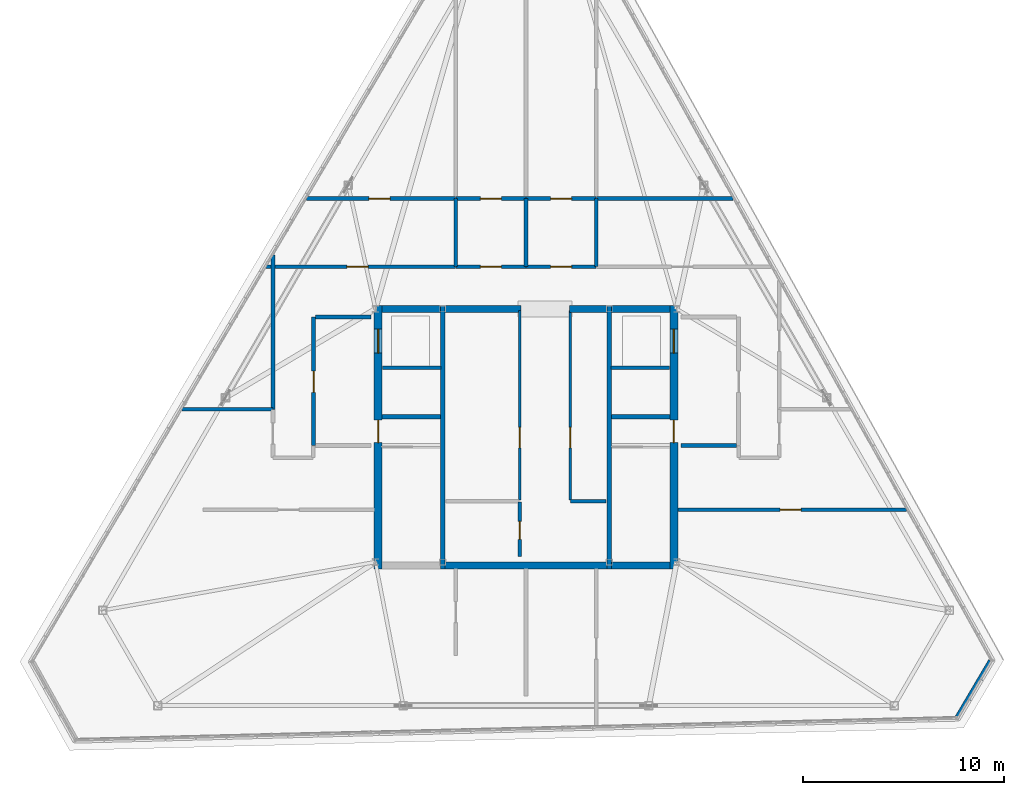
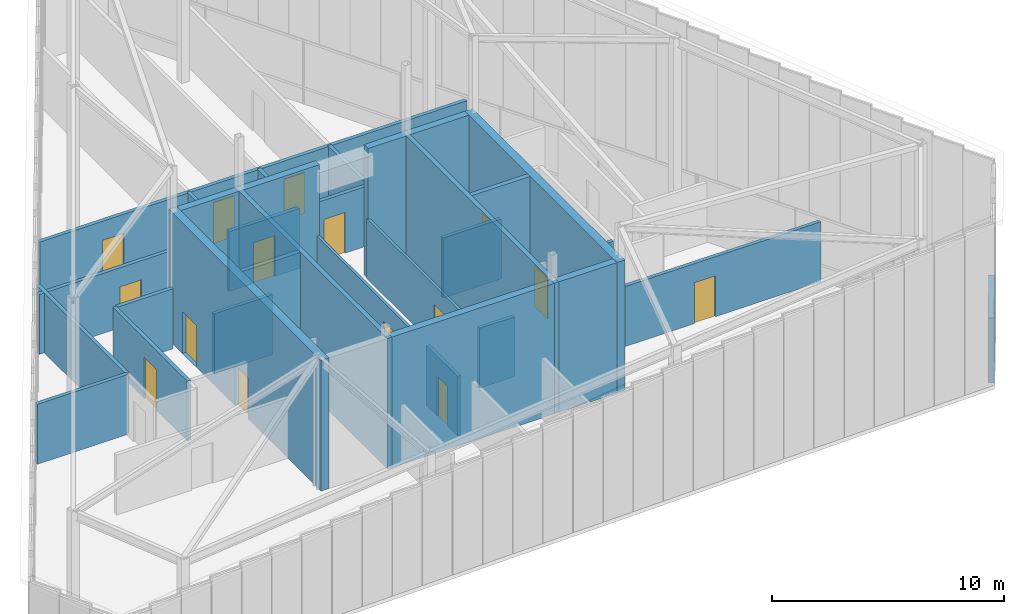
# One storey, part 44 of 50: 35 walls, 15 doors, 15 openings.
"""IFC4 building model written with IfcOpenShell, lengths in metres."""

from ifc_helpers import new_model, si_unit, direction, frame, frame_2d, origin, place, context, subcontext, project, spatial, rectangle, extrude, material, layer, layer_set, type_object, element, fill, save


model = new_model("IFC4")

# Units and contexts
model_context = context("Model", 3, precision=1e-05, world=origin(), true_north=direction((0.0, 1.0)))
body_context = subcontext(model_context, "Body", "Model", "MODEL_VIEW")
ifc_project = project(units=[si_unit("LENGTHUNIT", "METRE"), si_unit("AREAUNIT", "SQUARE_METRE"), si_unit("VOLUMEUNIT", "CUBIC_METRE"), si_unit("PLANEANGLEUNIT", "RADIAN"), si_unit("MASSUNIT", "GRAM", prefix="KILO")], contexts=[model_context])

# Site, building, storey
site_placement = place(None, origin())
site = spatial("IfcSite", under=ifc_project, at=site_placement, CompositionType="ELEMENT")
building_placement = place(site_placement, origin())
building = spatial("IfcBuilding", under=site, at=building_placement, Name="Caelisora Broadcast Tower", CompositionType="ELEMENT")
storey_placement = place(building_placement, frame((0.0, 0.0, 303.39990234375)))
storey = spatial("IfcBuildingStorey", under=building, at=storey_placement, Name="L80", CompositionType="ELEMENT", Elevation=303.39990234375)

# Wall, openings, doors
ifc_material_1 = material(Name="Concrete 40 MPa (AS 3600 N40)", Category="concrete")
ifc_layer_1 = layer(ifc_material_1, 0.39990234375, Name="Concrete 40 MPa (AS 3600 N40)")
ifc_layer_set_1 = layer_set([ifc_layer_1], Name="Concrete 40 MPa (AS 3600 N40)")
wall_type_1 = type_object("IfcWallType", Name="CW3", PredefinedType="SHEAR", material=ifc_layer_set_1)
wall_1_placement = place(storey_placement, frame((30.639892578125, 17.050048828125, 0.0), z_axis=(0.0, 0.0, 1.0), x_axis=(0.0, 1.0, 0.0)))
wall_1 = element("IfcWall", 1, at=wall_1_placement, inside=storey, type_object=wall_type_1, Name="L80 core shear wall CW3", PredefinedType="SHEAR", context=body_context, shape_type="SweptSolid", body=[
    extrude(rectangle(XDim=13.125, YDim=0.39990234375, at=frame_2d((6.5625, 0.0))), origin(), (0.0, 0.0, 1.0), 6.8701171875),
])
opening_1_placement = place(wall_1_placement, frame((6.300048828125, 0.0, 0.0)))
opening_1 = element("IfcOpeningElement", 2, at=opening_1_placement, cuts=wall_1, Name="Opening FD04", PredefinedType="OPENING", context=body_context, shape_type="SweptSolid", body=[
    extrude(rectangle(XDim=1.1201171875, YDim=2.14990234375, at=frame_2d((0.56005859375, 1.074951171875))), frame((0.0, 0.2119140625, 0.0), z_axis=(0.0, -1.0, 0.0), x_axis=(1.0, 0.0, 0.0)), (0.0, 0.0, 1.0), 0.423828125),
])
opening_2_placement = place(wall_1_placement, frame((10.75, 0.0, 0.0)))
opening_2 = element("IfcOpeningElement", 3, at=opening_2_placement, cuts=wall_1, Name="Opening LD04", PredefinedType="OPENING", context=body_context, shape_type="SweptSolid", body=[
    extrude(rectangle(XDim=1.199951171875, YDim=2.199951171875, at=frame_2d((0.60009765625, 1.10009765625))), frame((0.0, 0.2119140625, 0.0), z_axis=(0.0, -1.0, 0.0), x_axis=(1.0, 0.0, 0.0)), (0.0, 0.0, 1.0), 0.423828125),
])
ifc_material_2 = material(Name="Pressurised Fire-Isolated Stair Door", Category="steel")
door_type_1 = type_object("IfcDoorType", Name="FD04", OperationType="NOTDEFINED", PredefinedType="DOOR", material=ifc_material_2)
door_1_placement = place(opening_1_placement, origin())
door_1 = element("IfcDoor", 4, at=door_1_placement, inside=storey, type_object=door_type_1, Name="L80 door FD04 (L80-DR-ST1)", OperationType="SINGLE_SWING_LEFT", OverallHeight=2.14990234375, OverallWidth=1.1201171875, PredefinedType="DOOR", context=body_context, shape_type="SweptSolid", body=[
    extrude(rectangle(XDim=1.1201171875, YDim=2.14990234375, at=frame_2d((0.56005859375, 1.074951171875))), frame((0.0, 0.02490234375, 0.0), z_axis=(0.0, -1.0, 0.0), x_axis=(1.0, 0.0, 0.0)), (0.0, 0.0, 1.0), 0.050048828125),
])
fill(opening_1, door_1)
ifc_material_3 = material(Name="Emergency Firefighting Lift Sliding Landing Door", Category="steel")
door_type_2 = type_object("IfcDoorType", Name="LD04", OperationType="NOTDEFINED", PredefinedType="DOOR", material=ifc_material_3)
door_2_placement = place(opening_2_placement, origin())
door_2 = element("IfcDoor", 5, at=door_2_placement, inside=storey, type_object=door_type_2, Name="L80 door LD04 (L80-LD-FFL1)", OperationType="SLIDING_TO_LEFT", OverallHeight=2.199951171875, OverallWidth=1.199951171875, PredefinedType="DOOR", context=body_context, shape_type="SweptSolid", body=[
    extrude(rectangle(XDim=1.199951171875, YDim=2.199951171875, at=frame_2d((0.60009765625, 1.10009765625))), frame((0.0, 0.02490234375, 0.0), z_axis=(0.0, -1.0, 0.0), x_axis=(1.0, 0.0, 0.0)), (0.0, 0.0, 1.0), 0.050048828125),
])
fill(opening_2, door_2)

wall_2_placement = place(storey_placement, frame((45.360107421875, 17.050048828125, 0.0), z_axis=(0.0, 0.0, 1.0), x_axis=(0.0, 1.0, 0.0)))
wall_2 = element("IfcWall", 6, at=wall_2_placement, inside=storey, type_object=wall_type_1, Name="L80 core shear wall CW3", PredefinedType="SHEAR", context=body_context, shape_type="SweptSolid", body=[
    extrude(rectangle(XDim=13.125, YDim=0.39990234375, at=frame_2d((6.5625, 0.0))), origin(), (0.0, 0.0, 1.0), 6.8701171875),
])
opening_3_placement = place(wall_2_placement, frame((6.300048828125, 0.0, 0.0)))
opening_3 = element("IfcOpeningElement", 7, at=opening_3_placement, cuts=wall_2, Name="Opening FD04", PredefinedType="OPENING", context=body_context, shape_type="SweptSolid", body=[
    extrude(rectangle(XDim=1.1201171875, YDim=2.14990234375, at=frame_2d((0.56005859375, 1.074951171875))), frame((0.0, 0.2119140625, 0.0), z_axis=(0.0, -1.0, 0.0), x_axis=(1.0, 0.0, 0.0)), (0.0, 0.0, 1.0), 0.423828125),
])
opening_4_placement = place(wall_2_placement, frame((10.75, 0.0, 0.0)))
opening_4 = element("IfcOpeningElement", 8, at=opening_4_placement, cuts=wall_2, Name="Opening LD04", PredefinedType="OPENING", context=body_context, shape_type="SweptSolid", body=[
    extrude(rectangle(XDim=1.199951171875, YDim=2.199951171875, at=frame_2d((0.60009765625, 1.10009765625))), frame((0.0, 0.2119140625, 0.0), z_axis=(0.0, -1.0, 0.0), x_axis=(1.0, 0.0, 0.0)), (0.0, 0.0, 1.0), 0.423828125),
])
door_3_placement = place(opening_3_placement, origin())
door_3 = element("IfcDoor", 9, at=door_3_placement, inside=storey, type_object=door_type_1, Name="L80 door FD04 (L80-DR-ST2)", OperationType="SINGLE_SWING_RIGHT", OverallHeight=2.14990234375, OverallWidth=1.1201171875, PredefinedType="DOOR", context=body_context, shape_type="SweptSolid", body=[
    extrude(rectangle(XDim=1.1201171875, YDim=2.14990234375, at=frame_2d((0.56005859375, 1.074951171875))), frame((0.0, 0.02490234375, 0.0), z_axis=(0.0, -1.0, 0.0), x_axis=(1.0, 0.0, 0.0)), (0.0, 0.0, 1.0), 0.050048828125),
])
fill(opening_3, door_3)
door_4_placement = place(opening_4_placement, origin())
door_4 = element("IfcDoor", 10, at=door_4_placement, inside=storey, type_object=door_type_2, Name="L80 door LD04 (L80-LD-FFL2)", OperationType="SLIDING_TO_RIGHT", OverallHeight=2.199951171875, OverallWidth=1.199951171875, PredefinedType="DOOR", context=body_context, shape_type="SweptSolid", body=[
    extrude(rectangle(XDim=1.199951171875, YDim=2.199951171875, at=frame_2d((0.60009765625, 1.10009765625))), frame((0.0, 0.02490234375, 0.0), z_axis=(0.0, -1.0, 0.0), x_axis=(1.0, 0.0, 0.0)), (0.0, 0.0, 1.0), 0.050048828125),
])
fill(opening_4, door_4)

# Walls
ifc_layer_2 = layer(ifc_material_1, 0.35009765625, Name="Concrete 40 MPa (AS 3600 N40)")
ifc_layer_set_2 = layer_set([ifc_layer_2], Name="Concrete 40 MPa (AS 3600 N40)")
wall_type_2 = type_object("IfcWallType", Name="CW6", PredefinedType="SHEAR", material=ifc_layer_set_2)
wall_3_placement = place(storey_placement, frame((33.9599609375, 17.22509765625, 0.0), z_axis=(0.0, 0.0, 1.0), x_axis=(1.0, 0.0, 0.0)))
element("IfcWall", 11, at=wall_3_placement, inside=storey, type_object=wall_type_2, Name="L80 core shear wall CW6", PredefinedType="SHEAR", context=body_context, shape_type="SweptSolid", body=[
    extrude(rectangle(XDim=8.080078125, YDim=0.35009765625, at=frame_2d((4.0400390625, 0.0))), origin(), (0.0, 0.0, 1.0), 6.8701171875),
])
for number, where, z_axis, x_axis, name in (
    (12, (42.260009765625, 17.22509765625, 0.0), (0.0, 0.0, 1.0), (1.0, 0.0, 0.0), "L80 core shear wall CW6"),
    (13, (30.840087890625, 30.0, 0.0), (0.0, 0.0, 1.0), (1.0, 0.0, 0.0), "L80 core shear wall CW6"),
):
    element("IfcWall", number, at=place(storey_placement, frame(where, z_axis=z_axis, x_axis=x_axis)), inside=storey, type_object=wall_type_2, Name=name, PredefinedType="SHEAR", context=body_context, shape_type="SweptSolid", body=[
        extrude(rectangle(XDim=2.89990234375, YDim=0.35009765625, at=frame_2d((1.449951171875, 0.0))), origin(), (0.0, 0.0, 1.0), 6.8701171875),
    ])
wall_4_placement = place(storey_placement, frame((33.9599609375, 30.0, 0.0), z_axis=(0.0, 0.0, 1.0), x_axis=(1.0, 0.0, 0.0)))
element("IfcWall", 14, at=wall_4_placement, inside=storey, type_object=wall_type_2, Name="L80 core shear wall CW6", PredefinedType="SHEAR", context=body_context, shape_type="SweptSolid", body=[
    extrude(rectangle(XDim=3.780029296875, YDim=0.35009765625, at=frame_2d((1.89013671875, 0.0))), origin(), (0.0, 0.0, 1.0), 6.8701171875),
])
wall_5_placement = place(storey_placement, frame((40.159912109375, 30.0, 0.0), z_axis=(0.0, 0.0, 1.0), x_axis=(1.0, 0.0, 0.0)))
element("IfcWall", 15, at=wall_5_placement, inside=storey, type_object=wall_type_2, Name="L80 core shear wall CW6", PredefinedType="SHEAR", context=body_context, shape_type="SweptSolid", body=[
    extrude(rectangle(XDim=1.880126953125, YDim=0.35009765625, at=frame_2d((0.93994140625, 0.0))), origin(), (0.0, 0.0, 1.0), 6.8701171875),
])
wall_6_placement = place(storey_placement, frame((42.260009765625, 30.0, 0.0), z_axis=(0.0, 0.0, 1.0), x_axis=(1.0, 0.0, 0.0)))
element("IfcWall", 16, at=wall_6_placement, inside=storey, type_object=wall_type_2, Name="L80 core shear wall CW6", PredefinedType="SHEAR", context=body_context, shape_type="SweptSolid", body=[
    extrude(rectangle(XDim=2.89990234375, YDim=0.35009765625, at=frame_2d((1.449951171875, 0.0))), origin(), (0.0, 0.0, 1.0), 6.8701171875),
])
ifc_material_4 = material(Name="Concrete 50 MPa (AS 3600 S50)", Category="concrete")
ifc_layer_3 = layer(ifc_material_4, 0.219970703125, Name="Concrete 50 MPa (AS 3600 S50)")
ifc_layer_set_3 = layer_set([ifc_layer_3], Name="Concrete 50 MPa (AS 3600 S50)")
wall_type_3 = type_object("IfcWallType", Name="CW7", PredefinedType="SHEAR", material=ifc_layer_set_3)
for number, where, z_axis, x_axis, name in (
    (17, (33.85009765625, 17.050048828125, 0.0), (0.0, 0.0, 1.0), (0.0, 1.0, 0.0), "L80 core shear wall CW7"),
    (18, (42.14990234375, 17.050048828125, 0.0), (0.0, 0.0, 1.0), (0.0, 1.0, 0.0), "L80 core shear wall CW7"),
):
    element("IfcWall", number, at=place(storey_placement, frame(where, z_axis=z_axis, x_axis=x_axis)), inside=storey, type_object=wall_type_3, Name=name, PredefinedType="SHEAR", context=body_context, shape_type="SweptSolid", body=[
        extrude(rectangle(XDim=13.125, YDim=0.219970703125, at=frame_2d((6.5625, 0.0))), origin(), (0.0, 0.0, 1.0), 6.8701171875),
    ])
for number, where, z_axis, x_axis, name in (
    (19, (30.840087890625, 24.639892578125, 0.0), (0.0, 0.0, 1.0), (1.0, 0.0, 0.0), "L80 core shear wall CW7"),
    (20, (42.260009765625, 24.639892578125, 0.0), (0.0, 0.0, 1.0), (1.0, 0.0, 0.0), "L80 core shear wall CW7"),
):
    element("IfcWall", number, at=place(storey_placement, frame(where, z_axis=z_axis, x_axis=x_axis)), inside=storey, type_object=wall_type_3, Name=name, PredefinedType="SHEAR", context=body_context, shape_type="SweptSolid", body=[
        extrude(rectangle(XDim=2.89990234375, YDim=0.219970703125, at=frame_2d((1.449951171875, 0.0))), origin(), (0.0, 0.0, 1.0), 6.8701171875),
    ])
ifc_material_5 = material(Name="Fire-Rated Acoustic Plant Enclosure Wall", Category="masonry")
ifc_layer_4 = layer(ifc_material_5, 0.260009765625, Name="Fire-Rated Acoustic Plant Enclosure Wall")
ifc_layer_set_4 = layer_set([ifc_layer_4], Name="Fire-Rated Acoustic Plant Enclosure Wall")
wall_type_4 = type_object("IfcWallType", Name="EW2", PredefinedType="STANDARD", material=ifc_layer_set_4)
wall_7_placement = place(storey_placement, frame((61.144775390625, 12.47509765625, 0.0), z_axis=(0.0, 0.0, 1.0), x_axis=(-0.508787597766, -0.860892084038, 0.0)))
element("IfcWall", 21, at=wall_7_placement, inside=storey, type_object=wall_type_4, Name="L80 exterior envelope wall EW2", PredefinedType="STANDARD", context=body_context, shape_type="SweptSolid", body=[
    extrude(rectangle(XDim=3.24560546875, YDim=0.260009765625, at=frame_2d((1.622802734375, 0.0))), origin(), (0.0, 0.0, 1.0), 3.400146484375),
])

# Wall, opening, door
ifc_material_6 = material(Name="Fire-Rated Gypsum Shaft and Compartment Wall", Category="gypsum")
ifc_layer_5 = layer(ifc_material_6, 0.179931640625, Name="Fire-Rated Gypsum Shaft and Compartment Wall")
ifc_layer_set_5 = layer_set([ifc_layer_5], Name="Fire-Rated Gypsum Shaft and Compartment Wall")
wall_type_5 = type_object("IfcWallType", Name="PW2", PredefinedType="PARTITIONING", material=ifc_layer_set_5)
wall_8_placement = place(storey_placement, frame((27.419921875, 23.199951171875, 0.0), z_axis=(0.0, 0.0, 1.0), x_axis=(0.0, 1.0, 0.0)))
wall_8 = element("IfcWall", 22, at=wall_8_placement, inside=storey, type_object=wall_type_5, Name="L80 fire compartment wall PW2", PredefinedType="PARTITIONING", context=body_context, shape_type="SweptSolid", body=[
    extrude(rectangle(XDim=6.400146484375, YDim=0.179931640625, at=frame_2d((3.2001953125, 0.0))), origin(), (0.0, 0.0, 1.0), 3.150146484375),
])
opening_5_placement = place(wall_8_placement, frame((2.64990234375, 0.0, 0.0)))
opening_5 = element("IfcOpeningElement", 23, at=opening_5_placement, cuts=wall_8, Name="Opening FD02", PredefinedType="OPENING", context=body_context, shape_type="SweptSolid", body=[
    extrude(rectangle(XDim=1.050048828125, YDim=2.14990234375, at=frame_2d((0.52490234375, 1.074951171875))), frame((0.0, 0.10205078125, 0.0), z_axis=(0.0, -1.0, 0.0), x_axis=(1.0, 0.0, 0.0)), (0.0, 0.0, 1.0), 0.203857421875),
])
ifc_material_7 = material(Name="Single-Leaf Steel Fire Lobby Door", Category="steel")
door_type_3 = type_object("IfcDoorType", Name="FD02", OperationType="NOTDEFINED", PredefinedType="DOOR", material=ifc_material_7)
door_5_placement = place(opening_5_placement, origin())
door_5 = element("IfcDoor", 24, at=door_5_placement, inside=storey, type_object=door_type_3, Name="L80 door FD02 (L80-DR-P01D1)", OperationType="SINGLE_SWING_LEFT", OverallHeight=2.14990234375, OverallWidth=1.050048828125, PredefinedType="DOOR", context=body_context, shape_type="SweptSolid", body=[
    extrude(rectangle(XDim=1.050048828125, YDim=2.14990234375, at=frame_2d((0.52490234375, 1.074951171875))), frame((0.0, 0.02490234375, 0.0), z_axis=(0.0, -1.0, 0.0), x_axis=(1.0, 0.0, 0.0)), (0.0, 0.0, 1.0), 0.050048828125),
])
fill(opening_5, door_5)

# Walls
for number, where, z_axis, x_axis, name in (
    (25, (27.52001953125, 29.60009765625, 0.0), (0.0, 0.0, 1.0), (1.0, 0.0, 0.0), "L80 fire compartment wall PW2"),
    (26, (45.719970703125, 23.199951171875, 0.0), (0.0, 0.0, 1.0), (1.0, 0.0, 0.0), "L80 fire compartment wall PW2"),
):
    element("IfcWall", number, at=place(storey_placement, frame(where, z_axis=z_axis, x_axis=x_axis)), inside=storey, type_object=wall_type_5, Name=name, PredefinedType="PARTITIONING", context=body_context, shape_type="SweptSolid", body=[
        extrude(rectangle(XDim=2.760009765625, YDim=0.179931640625, at=frame_2d((1.3798828125, 0.0))), origin(), (0.0, 0.0, 1.0), 3.150146484375),
    ])
for number, where, z_axis, x_axis, name in (
    (27, (30.860107421875, 27.070068359375, 0.0), (0.0, 0.0, 1.0), (1.0, 0.0, 0.0), "L80 fire compartment wall PW2"),
    (28, (42.239990234375, 27.070068359375, 0.0), (0.0, 0.0, 1.0), (1.0, 0.0, 0.0), "L80 fire compartment wall PW2"),
):
    element("IfcWall", number, at=place(storey_placement, frame(where, z_axis=z_axis, x_axis=x_axis)), inside=storey, type_object=wall_type_5, Name=name, PredefinedType="PARTITIONING", context=body_context, shape_type="SweptSolid", body=[
        extrude(rectangle(XDim=2.89990234375, YDim=0.179931640625, at=frame_2d((1.449951171875, 0.0))), origin(), (0.0, 0.0, 1.0), 3.150146484375),
    ])
wall_9_placement = place(storey_placement, frame((40.219970703125, 20.419921875, 0.0), z_axis=(0.0, 0.0, 1.0), x_axis=(1.0, 0.0, 0.0)))
element("IfcWall", 29, at=wall_9_placement, inside=storey, type_object=wall_type_5, Name="L80 fire compartment wall PW2", PredefinedType="PARTITIONING", context=body_context, shape_type="SweptSolid", body=[
    extrude(rectangle(XDim=1.760009765625, YDim=0.179931640625, at=frame_2d((0.8798828125, 0.0))), origin(), (0.0, 0.0, 1.0), 3.150146484375),
])

# Wall, opening, door
wall_10_placement = place(storey_placement, frame((37.679931640625, 17.679931640625, 0.0), z_axis=(0.0, 0.0, 1.0), x_axis=(0.0, 1.0, 0.0)))
wall_10 = element("IfcWall", 30, at=wall_10_placement, inside=storey, type_object=wall_type_5, Name="L80 fire compartment wall PW2", PredefinedType="PARTITIONING", context=body_context, shape_type="SweptSolid", body=[
    extrude(rectangle(XDim=2.699951171875, YDim=0.179931640625, at=frame_2d((1.35009765625, 0.0))), origin(), (0.0, 0.0, 1.0), 3.150146484375),
])
opening_6_placement = place(wall_10_placement, frame((0.85009765625, 0.0, 0.0)))
opening_6 = element("IfcOpeningElement", 31, at=opening_6_placement, cuts=wall_10, Name="Opening FD03", PredefinedType="OPENING", context=body_context, shape_type="SweptSolid", body=[
    extrude(rectangle(XDim=0.89990234375, YDim=2.10009765625, at=frame_2d((0.449951171875, 1.050048828125))), frame((0.0, 0.10205078125, 0.0), z_axis=(0.0, -1.0, 0.0), x_axis=(1.0, 0.0, 0.0)), (0.0, 0.0, 1.0), 0.203857421875),
])
ifc_material_8 = material(Name="Single-Leaf Steel Riser Fire Access Door", Category="steel")
door_type_4 = type_object("IfcDoorType", Name="FD03", OperationType="NOTDEFINED", PredefinedType="DOOR", material=ifc_material_8)
door_6_placement = place(opening_6_placement, origin())
door_6 = element("IfcDoor", 32, at=door_6_placement, inside=storey, type_object=door_type_4, Name="L80 door FD03 (L80-DR-P13D1)", OperationType="SINGLE_SWING_LEFT", OverallHeight=2.10009765625, OverallWidth=0.89990234375, PredefinedType="DOOR", context=body_context, shape_type="SweptSolid", body=[
    extrude(rectangle(XDim=0.89990234375, YDim=2.10009765625, at=frame_2d((0.449951171875, 1.050048828125))), frame((0.0, 0.02490234375, 0.0), z_axis=(0.0, -1.0, 0.0), x_axis=(1.0, 0.0, 0.0)), (0.0, 0.0, 1.0), 0.050048828125),
])
fill(opening_6, door_6)

wall_11_placement = place(storey_placement, frame((45.554931640625, 20.0, 0.0), z_axis=(0.0, 0.0, 1.0), x_axis=(1.0, 0.0, 0.0)))
wall_11 = element("IfcWall", 33, at=wall_11_placement, inside=storey, type_object=wall_type_5, Name="L80 fire compartment wall PW2", PredefinedType="PARTITIONING", context=body_context, shape_type="SweptSolid", body=[
    extrude(rectangle(XDim=11.40087890625, YDim=0.179931640625, at=frame_2d((5.700439453125, 0.0))), origin(), (0.0, 0.0, 1.0), 3.150146484375),
])
opening_7_placement = place(wall_11_placement, frame((5.096923828125, 0.0, 0.0)))
opening_7 = element("IfcOpeningElement", 34, at=opening_7_placement, cuts=wall_11, Name="Opening FD02", PredefinedType="OPENING", context=body_context, shape_type="SweptSolid", body=[
    extrude(rectangle(XDim=1.050048828125, YDim=2.14990234375, at=frame_2d((0.52490234375, 1.074951171875))), frame((0.0, 0.10205078125, 0.0), z_axis=(0.0, -1.0, 0.0), x_axis=(1.0, 0.0, 0.0)), (0.0, 0.0, 1.0), 0.203857421875),
])
door_7_placement = place(opening_7_placement, origin())
door_7 = element("IfcDoor", 35, at=door_7_placement, inside=storey, type_object=door_type_3, Name="L80 door FD02 (L80-DR-P17D1)", OperationType="SINGLE_SWING_LEFT", OverallHeight=2.14990234375, OverallWidth=1.050048828125, PredefinedType="DOOR", context=body_context, shape_type="SweptSolid", body=[
    extrude(rectangle(XDim=1.050048828125, YDim=2.14990234375, at=frame_2d((0.52490234375, 1.074951171875))), frame((0.0, 0.02490234375, 0.0), z_axis=(0.0, -1.0, 0.0), x_axis=(1.0, 0.0, 0.0)), (0.0, 0.0, 1.0), 0.050048828125),
])
fill(opening_7, door_7)

wall_12_placement = place(storey_placement, frame((25.06201171875, 32.10009765625, 0.0), z_axis=(0.0, 0.0, 1.0), x_axis=(1.0, 0.0, 0.0)))
wall_12 = element("IfcWall", 36, at=wall_12_placement, inside=storey, type_object=wall_type_5, Name="L80 fire compartment wall PW2", PredefinedType="PARTITIONING", context=body_context, shape_type="SweptSolid", body=[
    extrude(rectangle(XDim=9.43310546875, YDim=0.179931640625, at=frame_2d((4.716552734375, 0.0))), origin(), (0.0, 0.0, 1.0), 3.150146484375),
])
opening_8_placement = place(wall_12_placement, frame((4.02197265625, 0.0, 0.0)))
opening_8 = element("IfcOpeningElement", 37, at=opening_8_placement, cuts=wall_12, Name="Opening FD02", PredefinedType="OPENING", context=body_context, shape_type="SweptSolid", body=[
    extrude(rectangle(XDim=1.050048828125, YDim=2.14990234375, at=frame_2d((0.52490234375, 1.074951171875))), frame((0.0, 0.10205078125, 0.0), z_axis=(0.0, -1.0, 0.0), x_axis=(1.0, 0.0, 0.0)), (0.0, 0.0, 1.0), 0.203857421875),
])
door_8_placement = place(opening_8_placement, origin())
door_8 = element("IfcDoor", 38, at=door_8_placement, inside=storey, type_object=door_type_3, Name="L80 door FD02 (L80-DR-P18D1)", OperationType="SINGLE_SWING_RIGHT", OverallHeight=2.14990234375, OverallWidth=1.050048828125, PredefinedType="DOOR", context=body_context, shape_type="SweptSolid", body=[
    extrude(rectangle(XDim=1.050048828125, YDim=2.14990234375, at=frame_2d((0.52490234375, 1.074951171875))), frame((0.0, 0.02490234375, 0.0), z_axis=(0.0, -1.0, 0.0), x_axis=(1.0, 0.0, 0.0)), (0.0, 0.0, 1.0), 0.050048828125),
])
fill(opening_8, door_8)

wall_13_placement = place(storey_placement, frame((27.07177734375, 35.5, 0.0), z_axis=(0.0, 0.0, 1.0), x_axis=(1.0, 0.0, 0.0)))
wall_13 = element("IfcWall", 39, at=wall_13_placement, inside=storey, type_object=wall_type_5, Name="L80 fire compartment wall PW2", PredefinedType="PARTITIONING", context=body_context, shape_type="SweptSolid", body=[
    extrude(rectangle(XDim=7.42333984375, YDim=0.179931640625, at=frame_2d((3.711669921875, 0.0))), origin(), (0.0, 0.0, 1.0), 3.150146484375),
])
opening_9_placement = place(wall_13_placement, frame((3.10693359375, 0.0, 0.0)))
opening_9 = element("IfcOpeningElement", 40, at=opening_9_placement, cuts=wall_13, Name="Opening FD02", PredefinedType="OPENING", context=body_context, shape_type="SweptSolid", body=[
    extrude(rectangle(XDim=1.050048828125, YDim=2.14990234375, at=frame_2d((0.52490234375, 1.074951171875))), frame((0.0, 0.10205078125, 0.0), z_axis=(0.0, -1.0, 0.0), x_axis=(1.0, 0.0, 0.0)), (0.0, 0.0, 1.0), 0.203857421875),
])
door_9_placement = place(opening_9_placement, origin())
door_9 = element("IfcDoor", 41, at=door_9_placement, inside=storey, type_object=door_type_3, Name="L80 door FD02 (L80-DR-P22D1)", OperationType="SINGLE_SWING_RIGHT", OverallHeight=2.14990234375, OverallWidth=1.050048828125, PredefinedType="DOOR", context=body_context, shape_type="SweptSolid", body=[
    extrude(rectangle(XDim=1.050048828125, YDim=2.14990234375, at=frame_2d((0.52490234375, 1.074951171875))), frame((0.0, 0.02490234375, 0.0), z_axis=(0.0, -1.0, 0.0), x_axis=(1.0, 0.0, 0.0)), (0.0, 0.0, 1.0), 0.050048828125),
])
fill(opening_9, door_9)

# Walls
wall_14_placement = place(storey_placement, frame((25.39990234375, 25.0048828125, 0.0), z_axis=(0.0, 0.0, 1.0), x_axis=(0.0, 1.0, 0.0)))
element("IfcWall", 42, at=wall_14_placement, inside=storey, type_object=wall_type_5, Name="L80 fire compartment wall PW2", PredefinedType="PARTITIONING", context=body_context, shape_type="SweptSolid", body=[
    extrude(rectangle(XDim=7.680908203125, YDim=0.179931640625, at=frame_2d((3.84033203125, 0.0))), origin(), (0.0, 0.0, 1.0), 3.150146484375),
])
wall_15_placement = place(storey_placement, frame((41.5048828125, 35.5, 0.0), z_axis=(0.0, 0.0, 1.0), x_axis=(1.0, 0.0, 0.0)))
element("IfcWall", 43, at=wall_15_placement, inside=storey, type_object=wall_type_5, Name="L80 fire compartment wall PW2", PredefinedType="PARTITIONING", context=body_context, shape_type="SweptSolid", body=[
    extrude(rectangle(XDim=6.80224609375, YDim=0.179931640625, at=frame_2d((3.401123046875, 0.0))), origin(), (0.0, 0.0, 1.0), 3.150146484375),
])
wall_16_placement = place(storey_placement, frame((20.86474609375, 25.0, 0.0), z_axis=(0.0, 0.0, 1.0), x_axis=(1.0, 0.0, 0.0)))
element("IfcWall", 44, at=wall_16_placement, inside=storey, type_object=wall_type_5, Name="L80 fire compartment wall PW2", PredefinedType="PARTITIONING", context=body_context, shape_type="SweptSolid", body=[
    extrude(rectangle(XDim=4.5302734375, YDim=0.179931640625, at=frame_2d((2.26513671875, 0.0))), origin(), (0.0, 0.0, 1.0), 3.150146484375),
])

# Wall, opening, door
wall_17_placement = place(storey_placement, frame((34.5048828125, 32.10009765625, 0.0), z_axis=(0.0, 0.0, 1.0), x_axis=(1.0, 0.0, 0.0)))
wall_17 = element("IfcWall", 45, at=wall_17_placement, inside=storey, type_object=wall_type_5, Name="L80 fire compartment wall PW2", PredefinedType="PARTITIONING", context=body_context, shape_type="SweptSolid", body=[
    extrude(rectangle(XDim=3.490234375, YDim=0.179931640625, at=frame_2d((1.7451171875, 0.0))), origin(), (0.0, 0.0, 1.0), 3.150146484375),
])
opening_10_placement = place(wall_17_placement, frame((1.219970703125, 0.0, 0.0)))
opening_10 = element("IfcOpeningElement", 46, at=opening_10_placement, cuts=wall_17, Name="Opening FD02", PredefinedType="OPENING", context=body_context, shape_type="SweptSolid", body=[
    extrude(rectangle(XDim=1.050048828125, YDim=2.14990234375, at=frame_2d((0.52490234375, 1.074951171875))), frame((0.0, 0.10205078125, 0.0), z_axis=(0.0, -1.0, 0.0), x_axis=(1.0, 0.0, 0.0)), (0.0, 0.0, 1.0), 0.203857421875),
])
door_10_placement = place(opening_10_placement, origin())
door_10 = element("IfcDoor", 47, at=door_10_placement, inside=storey, type_object=door_type_3, Name="L80 door FD02 (L80-DR-P29D1)", OperationType="SINGLE_SWING_LEFT", OverallHeight=2.14990234375, OverallWidth=1.050048828125, PredefinedType="DOOR", context=body_context, shape_type="SweptSolid", body=[
    extrude(rectangle(XDim=1.050048828125, YDim=2.14990234375, at=frame_2d((0.52490234375, 1.074951171875))), frame((0.0, 0.02490234375, 0.0), z_axis=(0.0, -1.0, 0.0), x_axis=(1.0, 0.0, 0.0)), (0.0, 0.0, 1.0), 0.050048828125),
])
fill(opening_10, door_10)

wall_18_placement = place(storey_placement, frame((38.0048828125, 32.10009765625, 0.0), z_axis=(0.0, 0.0, 1.0), x_axis=(1.0, 0.0, 0.0)))
wall_18 = element("IfcWall", 48, at=wall_18_placement, inside=storey, type_object=wall_type_5, Name="L80 fire compartment wall PW2", PredefinedType="PARTITIONING", context=body_context, shape_type="SweptSolid", body=[
    extrude(rectangle(XDim=3.490234375, YDim=0.179931640625, at=frame_2d((1.7451171875, 0.0))), origin(), (0.0, 0.0, 1.0), 3.150146484375),
])
opening_11_placement = place(wall_18_placement, frame((1.219970703125, 0.0, 0.0)))
opening_11 = element("IfcOpeningElement", 49, at=opening_11_placement, cuts=wall_18, Name="Opening FD02", PredefinedType="OPENING", context=body_context, shape_type="SweptSolid", body=[
    extrude(rectangle(XDim=1.050048828125, YDim=2.14990234375, at=frame_2d((0.52490234375, 1.074951171875))), frame((0.0, 0.10205078125, 0.0), z_axis=(0.0, -1.0, 0.0), x_axis=(1.0, 0.0, 0.0)), (0.0, 0.0, 1.0), 0.203857421875),
])
door_11_placement = place(opening_11_placement, origin())
door_11 = element("IfcDoor", 50, at=door_11_placement, inside=storey, type_object=door_type_3, Name="L80 door FD02 (L80-DR-P30D1)", OperationType="SINGLE_SWING_RIGHT", OverallHeight=2.14990234375, OverallWidth=1.050048828125, PredefinedType="DOOR", context=body_context, shape_type="SweptSolid", body=[
    extrude(rectangle(XDim=1.050048828125, YDim=2.14990234375, at=frame_2d((0.52490234375, 1.074951171875))), frame((0.0, 0.02490234375, 0.0), z_axis=(0.0, -1.0, 0.0), x_axis=(1.0, 0.0, 0.0)), (0.0, 0.0, 1.0), 0.050048828125),
])
fill(opening_11, door_11)

wall_19_placement = place(storey_placement, frame((34.5048828125, 35.5, 0.0), z_axis=(0.0, 0.0, 1.0), x_axis=(1.0, 0.0, 0.0)))
wall_19 = element("IfcWall", 51, at=wall_19_placement, inside=storey, type_object=wall_type_5, Name="L80 fire compartment wall PW2", PredefinedType="PARTITIONING", context=body_context, shape_type="SweptSolid", body=[
    extrude(rectangle(XDim=3.490234375, YDim=0.179931640625, at=frame_2d((1.7451171875, 0.0))), origin(), (0.0, 0.0, 1.0), 3.150146484375),
])
opening_12_placement = place(wall_19_placement, frame((1.219970703125, 0.0, 0.0)))
opening_12 = element("IfcOpeningElement", 52, at=opening_12_placement, cuts=wall_19, Name="Opening FD02", PredefinedType="OPENING", context=body_context, shape_type="SweptSolid", body=[
    extrude(rectangle(XDim=1.050048828125, YDim=2.14990234375, at=frame_2d((0.52490234375, 1.074951171875))), frame((0.0, 0.10205078125, 0.0), z_axis=(0.0, -1.0, 0.0), x_axis=(1.0, 0.0, 0.0)), (0.0, 0.0, 1.0), 0.203857421875),
])
door_12_placement = place(opening_12_placement, origin())
door_12 = element("IfcDoor", 53, at=door_12_placement, inside=storey, type_object=door_type_3, Name="L80 door FD02 (L80-DR-P31D1)", OperationType="SINGLE_SWING_LEFT", OverallHeight=2.14990234375, OverallWidth=1.050048828125, PredefinedType="DOOR", context=body_context, shape_type="SweptSolid", body=[
    extrude(rectangle(XDim=1.050048828125, YDim=2.14990234375, at=frame_2d((0.52490234375, 1.074951171875))), frame((0.0, 0.02490234375, 0.0), z_axis=(0.0, -1.0, 0.0), x_axis=(1.0, 0.0, 0.0)), (0.0, 0.0, 1.0), 0.050048828125),
])
fill(opening_12, door_12)

wall_20_placement = place(storey_placement, frame((38.0048828125, 35.5, 0.0), z_axis=(0.0, 0.0, 1.0), x_axis=(1.0, 0.0, 0.0)))
wall_20 = element("IfcWall", 54, at=wall_20_placement, inside=storey, type_object=wall_type_5, Name="L80 fire compartment wall PW2", PredefinedType="PARTITIONING", context=body_context, shape_type="SweptSolid", body=[
    extrude(rectangle(XDim=3.490234375, YDim=0.179931640625, at=frame_2d((1.7451171875, 0.0))), origin(), (0.0, 0.0, 1.0), 3.150146484375),
])
opening_13_placement = place(wall_20_placement, frame((1.219970703125, 0.0, 0.0)))
opening_13 = element("IfcOpeningElement", 55, at=opening_13_placement, cuts=wall_20, Name="Opening FD02", PredefinedType="OPENING", context=body_context, shape_type="SweptSolid", body=[
    extrude(rectangle(XDim=1.050048828125, YDim=2.14990234375, at=frame_2d((0.52490234375, 1.074951171875))), frame((0.0, 0.10205078125, 0.0), z_axis=(0.0, -1.0, 0.0), x_axis=(1.0, 0.0, 0.0)), (0.0, 0.0, 1.0), 0.203857421875),
])
door_13_placement = place(opening_13_placement, origin())
door_13 = element("IfcDoor", 56, at=door_13_placement, inside=storey, type_object=door_type_3, Name="L80 door FD02 (L80-DR-P32D1)", OperationType="SINGLE_SWING_RIGHT", OverallHeight=2.14990234375, OverallWidth=1.050048828125, PredefinedType="DOOR", context=body_context, shape_type="SweptSolid", body=[
    extrude(rectangle(XDim=1.050048828125, YDim=2.14990234375, at=frame_2d((0.52490234375, 1.074951171875))), frame((0.0, 0.02490234375, 0.0), z_axis=(0.0, -1.0, 0.0), x_axis=(1.0, 0.0, 0.0)), (0.0, 0.0, 1.0), 0.050048828125),
])
fill(opening_13, door_13)

# Walls
for number, where, z_axis, x_axis, name in (
    (57, (34.5, 32.10498046875, 0.0), (0.0, 0.0, 1.0), (0.0, 1.0, 0.0), "L80 fire compartment wall PW2"),
    (58, (38.0, 32.10498046875, 0.0), (0.0, 0.0, 1.0), (0.0, 1.0, 0.0), "L80 fire compartment wall PW2"),
    (59, (41.5, 32.10498046875, 0.0), (0.0, 0.0, 1.0), (0.0, 1.0, 0.0), "L80 fire compartment wall PW2"),
):
    element("IfcWall", number, at=place(storey_placement, frame(where, z_axis=z_axis, x_axis=x_axis)), inside=storey, type_object=wall_type_5, Name=name, PredefinedType="PARTITIONING", context=body_context, shape_type="SweptSolid", body=[
        extrude(rectangle(XDim=3.39013671875, YDim=0.179931640625, at=frame_2d((1.695068359375, 0.0))), origin(), (0.0, 0.0, 1.0), 3.150146484375),
    ])

# Wall, opening, door
ifc_material_9 = material(Name="Acoustic Steel-Stud Plasterboard Partition", Category="gypsum")
ifc_layer_6 = layer(ifc_material_9, 0.1298828125, Name="Acoustic Steel-Stud Plasterboard Partition")
ifc_layer_set_6 = layer_set([ifc_layer_6], Name="Acoustic Steel-Stud Plasterboard Partition")
wall_type_6 = type_object("IfcWallType", Name="PW3", PredefinedType="PARTITIONING", material=ifc_layer_set_6)
wall_21_placement = place(storey_placement, frame((37.679931640625, 20.47998046875, 0.0), z_axis=(0.0, 0.0, 1.0), x_axis=(0.0, 1.0, 0.0)))
wall_21 = element("IfcWall", 60, at=wall_21_placement, inside=storey, type_object=wall_type_6, Name="L80 internal partition PW3", PredefinedType="PARTITIONING", context=body_context, shape_type="SweptSolid", body=[
    extrude(rectangle(XDim=9.43994140625, YDim=0.1298828125, at=frame_2d((4.719970703125, 0.0))), origin(), (0.0, 0.0, 1.0), 3.150146484375),
])
opening_14_placement = place(wall_21_placement, frame((2.60009765625, 0.0, 0.0)))
opening_14 = element("IfcOpeningElement", 61, at=opening_14_placement, cuts=wall_21, Name="Opening D02", PredefinedType="OPENING", context=body_context, shape_type="SweptSolid", body=[
    extrude(rectangle(XDim=1.02001953125, YDim=2.14990234375, at=frame_2d((0.510009765625, 1.074951171875))), frame((0.0, 0.076904296875, 0.0), z_axis=(0.0, -1.0, 0.0), x_axis=(1.0, 0.0, 0.0)), (0.0, 0.0, 1.0), 0.15380859375),
])
ifc_material_10 = material(Name="Solid-Core Timber Archive Suite Door", Category="wood")
door_type_5 = type_object("IfcDoorType", Name="D02", OperationType="NOTDEFINED", PredefinedType="DOOR", material=ifc_material_10)
door_14_placement = place(opening_14_placement, origin())
door_14 = element("IfcDoor", 62, at=door_14_placement, inside=storey, type_object=door_type_5, Name="L80 door D02 (L80-DR-P11D1)", OperationType="SINGLE_SWING_LEFT", OverallHeight=2.14990234375, OverallWidth=1.02001953125, PredefinedType="DOOR", context=body_context, shape_type="SweptSolid", body=[
    extrude(rectangle(XDim=1.02001953125, YDim=2.14990234375, at=frame_2d((0.510009765625, 1.074951171875))), frame((0.0, 0.02490234375, 0.0), z_axis=(0.0, -1.0, 0.0), x_axis=(1.0, 0.0, 0.0)), (0.0, 0.0, 1.0), 0.050048828125),
])
fill(opening_14, door_14)

wall_22_placement = place(storey_placement, frame((40.199951171875, 20.47998046875, 0.0), z_axis=(0.0, 0.0, 1.0), x_axis=(0.0, 1.0, 0.0)))
wall_22 = element("IfcWall", 63, at=wall_22_placement, inside=storey, type_object=wall_type_6, Name="L80 internal partition PW3", PredefinedType="PARTITIONING", context=body_context, shape_type="SweptSolid", body=[
    extrude(rectangle(XDim=9.43994140625, YDim=0.1298828125, at=frame_2d((4.719970703125, 0.0))), origin(), (0.0, 0.0, 1.0), 3.150146484375),
])
opening_15_placement = place(wall_22_placement, frame((2.60009765625, 0.0, 0.0)))
opening_15 = element("IfcOpeningElement", 64, at=opening_15_placement, cuts=wall_22, Name="Opening D02", PredefinedType="OPENING", context=body_context, shape_type="SweptSolid", body=[
    extrude(rectangle(XDim=1.02001953125, YDim=2.14990234375, at=frame_2d((0.510009765625, 1.074951171875))), frame((0.0, 0.076904296875, 0.0), z_axis=(0.0, -1.0, 0.0), x_axis=(1.0, 0.0, 0.0)), (0.0, 0.0, 1.0), 0.15380859375),
])
door_15_placement = place(opening_15_placement, origin())
door_15 = element("IfcDoor", 65, at=door_15_placement, inside=storey, type_object=door_type_5, Name="L80 door D02 (L80-DR-P12D1)", OperationType="SINGLE_SWING_RIGHT", OverallHeight=2.14990234375, OverallWidth=1.02001953125, PredefinedType="DOOR", context=body_context, shape_type="SweptSolid", body=[
    extrude(rectangle(XDim=1.02001953125, YDim=2.14990234375, at=frame_2d((0.510009765625, 1.074951171875))), frame((0.0, 0.02490234375, 0.0), z_axis=(0.0, -1.0, 0.0), x_axis=(1.0, 0.0, 0.0)), (0.0, 0.0, 1.0), 0.050048828125),
])
fill(opening_15, door_15)

save(model, "model.ifc")
